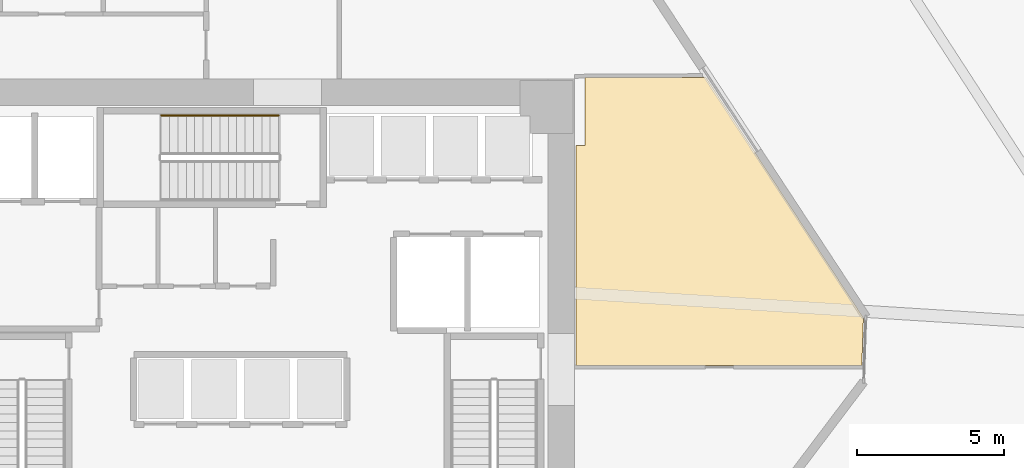
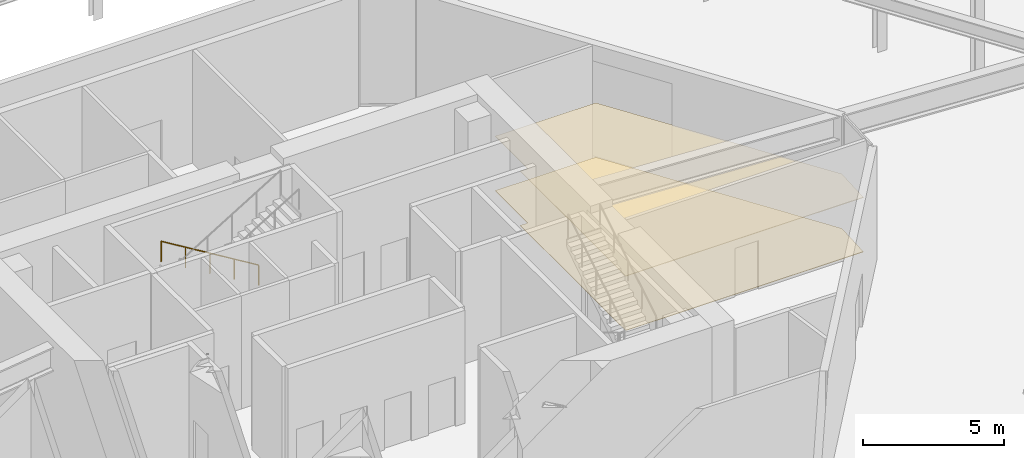
# One storey, part 17 of 18: 2 coverings, 1 railing.
"""IFC4 building model written with IfcOpenShell, lengths in metres."""

from ifc_helpers import new_model, si_unit, direction, frame, origin, origin_2d, place, context, subcontext, project, spatial, polyline, circle, outline, extrude, material, layer, layer_set, type_object, element, save


model = new_model("IFC4")

# Units and contexts
model_context = context("Model", 3, precision=1e-05, world=origin(), true_north=direction((0.0, 1.0)))
body_context = subcontext(model_context, "Body", "Model", "MODEL_VIEW")
ifc_project = project(units=[si_unit("LENGTHUNIT", "METRE"), si_unit("AREAUNIT", "SQUARE_METRE"), si_unit("VOLUMEUNIT", "CUBIC_METRE"), si_unit("PLANEANGLEUNIT", "RADIAN"), si_unit("MASSUNIT", "GRAM", prefix="KILO")], contexts=[model_context])

# Site, building, storey
site_placement = place(None, origin())
site = spatial("IfcSite", under=ifc_project, at=site_placement, CompositionType="ELEMENT")
building_placement = place(site_placement, origin())
building = spatial("IfcBuilding", under=site, at=building_placement, Name="Durnholm Broadcast Tower", CompositionType="ELEMENT")
storey_placement = place(building_placement, origin())
storey = spatial("IfcBuildingStorey", under=building, at=storey_placement, Name="L00", CompositionType="ELEMENT", Elevation=0.0)

# Coverings
ifc_material_1 = material(Name="Mineral Fiber Acoustic Ceiling Tile", Category="concrete")
ifc_layer_1 = layer(ifc_material_1, 0.02490234375)
ifc_layer_set_1 = layer_set([ifc_layer_1], Name="Mineral Fiber Acoustic Ceiling Tile")
covering_type_1 = type_object("IfcCoveringType", Name="COV-CEIL-AC", PredefinedType="CEILING", material=ifc_layer_set_1)
covering_1_placement = place(storey_placement, frame((0.0, 0.0, 2.35009765625)))
element("IfcCovering", 1, at=covering_1_placement, inside=storey, type_object=covering_type_1, Name="L00 Broadcast Loading and Scene Dock acoustic ceiling", PredefinedType="CEILING", context=body_context, shape_type="SweptSolid", body=[
    extrude(outline(polyline([(11.11279296875, 8.794921875), (11.11279296875, 6.4873046875), (10.804931640625, 6.4873046875), (10.804931640625, -0.9951171875), (20.521728515625, -0.9951171875), (20.576416015625, 0.636962890625), (15.2275390625, 8.794921875), (11.11279296875, 8.794921875)])), origin(), (0.0, 0.0, 1.0), 0.02490234375),
])
ifc_material_2 = material(Name="Engineered Oak Acoustic Broadcast Flooring", Category="wood")
ifc_layer_2 = layer(ifc_material_2, 0.02001953125)
ifc_layer_set_2 = layer_set([ifc_layer_2], Name="Engineered Oak Acoustic Broadcast Flooring")
covering_type_2 = type_object("IfcCoveringType", Name="COV-FLR-OAK", PredefinedType="FLOORING", material=ifc_layer_set_2)
covering_2_placement = place(storey_placement, origin())
element("IfcCovering", 2, at=covering_2_placement, inside=storey, type_object=covering_type_2, Name="L00 Broadcast Loading and Scene Dock acoustic oak flooring", PredefinedType="FLOORING", context=body_context, shape_type="SweptSolid", body=[
    extrude(outline(polyline([(11.11279296875, 8.794921875), (11.11279296875, 6.4873046875), (10.804931640625, 6.4873046875), (10.804931640625, -0.9951171875), (20.521728515625, -0.9951171875), (20.576416015625, 0.636962890625), (15.2275390625, 8.794921875), (11.11279296875, 8.794921875)])), origin(), (0.0, 0.0, 1.0), 0.02001953125),
])

# Railing
ifc_material_3 = material(Name="Brushed Stainless Steel Handrail", Category="steel")
railing_type = type_object("IfcRailingType", Name="RAIL-ST-HND", PredefinedType="HANDRAIL", material=ifc_material_3)
railing_placement = place(storey_placement, frame((0.699951171875, 7.510009765625, 0.3466796875)))
element("IfcRailing", 3, at=railing_placement, inside=storey, type_object=railing_type, Name="L00 ST-3 stair handrail 1", PredefinedType="HANDRAIL", context=body_context, shape_type="SweptSolid", body=[
    extrude(circle(Radius=0.02392578125, at=origin_2d()), frame((0.0, 0.0, 0.8759765625), z_axis=(-0.854382233033, 0.0, 0.519645071061), x_axis=(0.0, -1.0, 0.0)), (0.0, 0.0, 1.0), 4.669921875),
    extrude(circle(Radius=0.02099609375, at=origin_2d()), origin(), (0.0, 0.0, 1.0), 0.851806640625),
    extrude(circle(Radius=0.02099609375, at=origin_2d()), frame((-0.99755859375, 0.0, 0.606689453125)), (0.0, 0.0, 1.0), 0.851806640625),
    extrude(circle(Radius=0.02099609375, at=origin_2d()), frame((-1.9951171875, 0.0, 1.21337890625)), (0.0, 0.0, 1.0), 0.851806640625),
    extrude(circle(Radius=0.02099609375, at=origin_2d()), frame((-2.992431640625, 0.0, 1.820068359375)), (0.0, 0.0, 1.0), 0.851806640625),
    extrude(circle(Radius=0.02099609375, at=origin_2d()), frame((-3.989990234375, 0.0, 2.4267578125)), (0.0, 0.0, 1.0), 0.851806640625),
])

save(model, "model.ifc")
